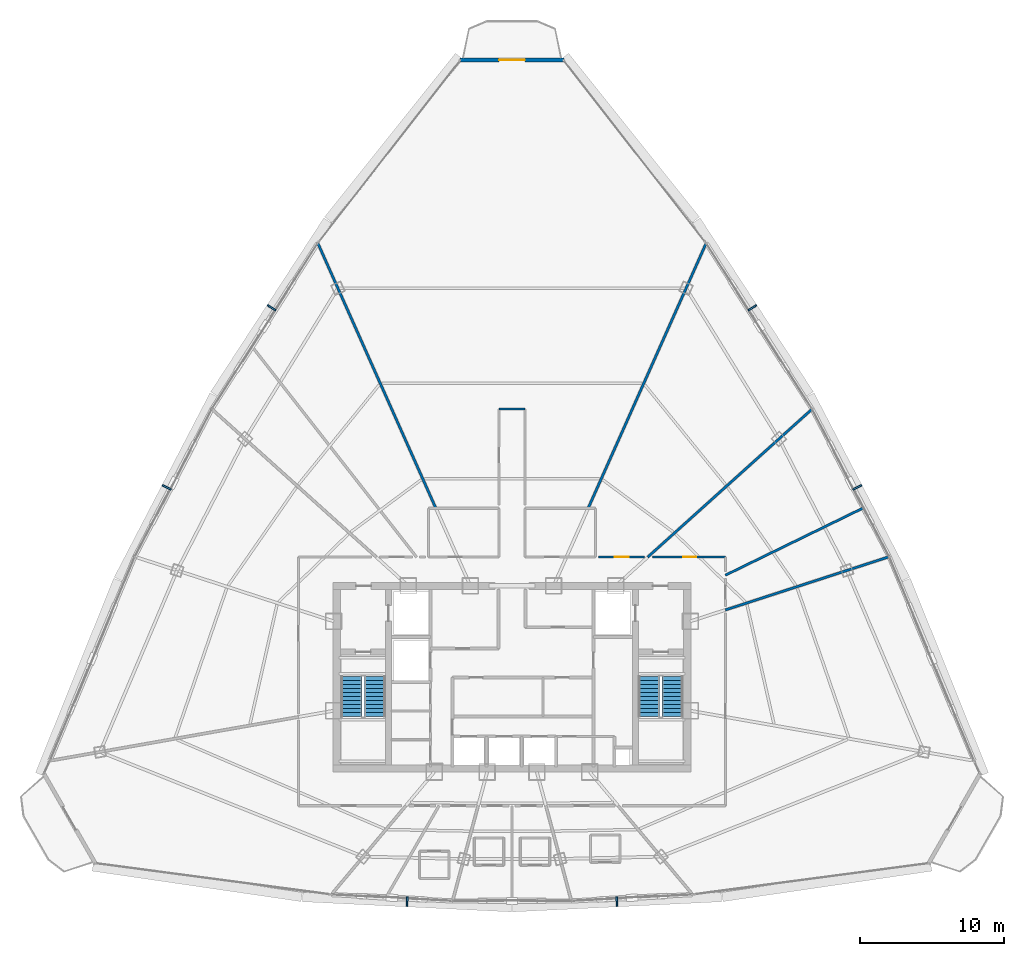
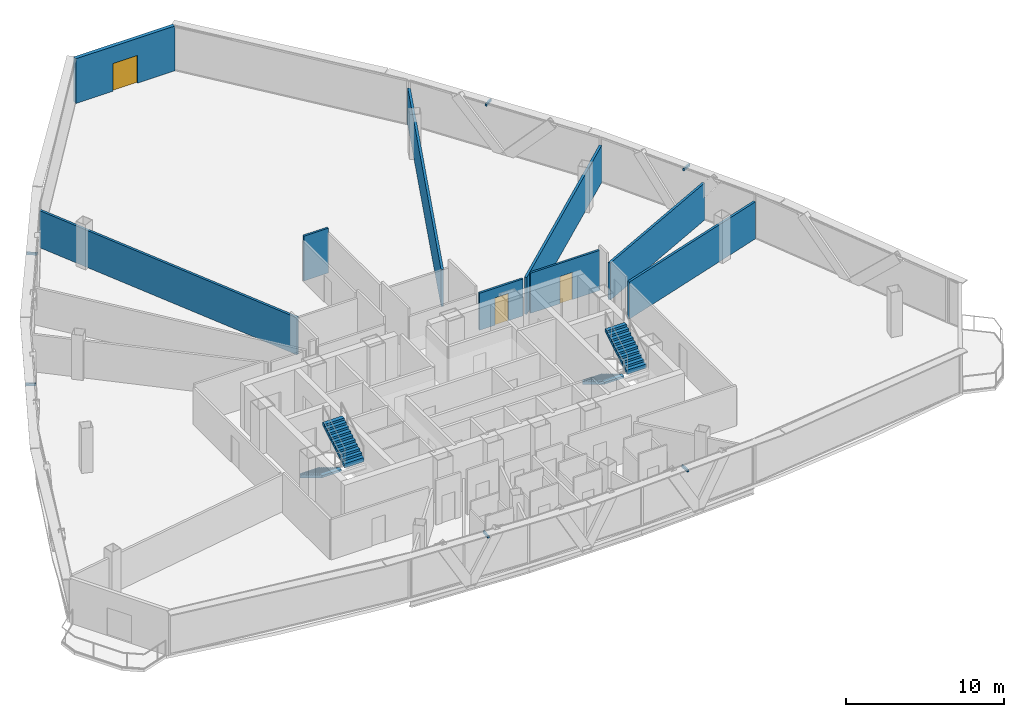
# One storey, part 34 of 37: 9 walls, 6 discrete accessories, 4 stair flights, 3 doors, 3 openings, 2 elements without a shape of their own.
"""IFC4 building model written with IfcOpenShell, lengths in metres."""

from ifc_helpers import new_model, si_unit, direction, frame, frame_2d, origin, origin_with_axes, origin_2d, place, context, subcontext, project, spatial, polyline, rectangle, outline, extrude, source, transform, mapped, material, layer, layer_set, type_object, element, fill, aggregate, save


model = new_model("IFC4")

# Units and contexts
model_context = context("Model", 3, precision=1e-05, world=origin(), true_north=direction((0.0, 1.0)))
body_context = subcontext(model_context, "Body", "Model", "MODEL_VIEW")
ifc_project = project(units=[si_unit("LENGTHUNIT", "METRE"), si_unit("AREAUNIT", "SQUARE_METRE"), si_unit("VOLUMEUNIT", "CUBIC_METRE"), si_unit("PLANEANGLEUNIT", "RADIAN"), si_unit("MASSUNIT", "GRAM", prefix="KILO"), si_unit("THERMODYNAMICTEMPERATUREUNIT", "KELVIN"), si_unit("POWERUNIT", "WATT")], contexts=[model_context])

# Site, building, storey
site_placement = place(None, origin())
site = spatial("IfcSite", under=ifc_project, at=site_placement, CompositionType="ELEMENT")
building_placement = place(site_placement, origin())
building = spatial("IfcBuilding", under=site, at=building_placement, Name="Yunzhuo Pagoda Commons", CompositionType="ELEMENT")
storey_placement = place(building_placement, frame((0.0, 0.0, 281.2900390625)))
storey = spatial("IfcBuildingStorey", under=building, at=storey_placement, Name="L70", CompositionType="ELEMENT", Elevation=281.2900390625)

# Wall, opening, door
ifc_material_1 = material(Name="Precast concrete C40", Category="concrete")
ifc_layer_1 = layer(ifc_material_1, 0.260009765625)
ifc_layer_set_1 = layer_set([ifc_layer_1], Name="Precast concrete C40")
wall_type_1 = type_object("IfcWallType", Name="W-BAL1 Corner Balcony Threshold Wall 260", PredefinedType="STANDARD", material=ifc_layer_set_1)
wall_1_placement = place(storey_placement, frame((51.632080078125, 76.79296875, 0.0), z_axis=(0.0, 0.0, 1.0), x_axis=(-1.0, 0.0, 0.0)))
wall_1 = element("IfcWall", 1, at=wall_1_placement, inside=storey, type_object=wall_type_1, Name="L70 corner balcony wall V3", PredefinedType="STANDARD", context=body_context, shape_type="SweptSolid", body=[
    extrude(rectangle(XDim=7.26416015625, YDim=0.260009765625, at=frame_2d((3.632080078125, 0.0))), origin(), (0.0, 0.0, 1.0), 3.469970703125),
])
opening_1_placement = place(wall_1_placement, frame((2.732177734375, 0.0, 0.0)))
opening_1 = element("IfcOpeningElement", 2, at=opening_1_placement, cuts=wall_1, Name="Opening D-BAL1", PredefinedType="OPENING", context=body_context, shape_type="SweptSolid", body=[
    extrude(rectangle(XDim=1.800048828125, YDim=2.14990234375, at=frame_2d((0.89990234375, 1.074951171875))), frame((0.0, 0.14013671875, 0.0), z_axis=(0.0, -1.0, 0.0), x_axis=(1.0, 0.0, 0.0)), (0.0, 0.0, 1.0), 0.280029296875),
])
ifc_material_2 = material(Name="Anodized aluminium frame and tempered glazed leaf", Category="aluminium")
door_type_1 = type_object("IfcDoorType", Name="D-BAL1 Corner Balcony Sliding Glazed Door 1800x2150", OperationType="DOUBLE_DOOR_SLIDING", PredefinedType="DOOR", material=ifc_material_2)
shared_shape_1 = source(origin(), body_context, "Body", "SweptSolid", [
    extrude(rectangle(XDim=1.800048828125, YDim=2.14990234375, at=frame_2d((0.89990234375, 1.074951171875))), frame((0.0, 0.02490234375, 0.0), z_axis=(0.0, -1.0, 0.0), x_axis=(1.0, 0.0, 0.0)), (0.0, 0.0, 1.0), 0.050048828125),
])
door_1_placement = place(opening_1_placement, origin_with_axes())
door_1 = element("IfcDoor", 3, at=door_1_placement, inside=storey, type_object=door_type_1, Name="L70 corner balcony sliding door V3", OperationType="DOUBLE_DOOR_SLIDING", OverallHeight=2.14990234375, OverallWidth=1.800048828125, PredefinedType="DOOR", context=body_context, shape_type="MappedRepresentation", body=[
    mapped(shared_shape_1, transform((0.0, 0.0, 0.0), scale=1.0)),
])
fill(opening_1, door_1)

# Wall
ifc_material_3 = material(Name="Gypsum plasterboard on acoustic stud")
ifc_layer_2 = layer(ifc_material_3, 0.14990234375)
ifc_layer_set_2 = layer_set([ifc_layer_2], Name="Gypsum plasterboard on acoustic stud")
wall_type_2 = type_object("IfcWallType", Name="W-COR3 High-Zone Rated Corridor Wall 150", PredefinedType="PARTITIONING", material=ifc_layer_set_2)
wall_2_placement = place(storey_placement, frame((47.10009765625, 52.5, 0.0), z_axis=(0.0, 0.0, 1.0), x_axis=(1.0, 0.0, 0.0)))
element("IfcWall", 4, at=wall_2_placement, inside=storey, type_object=wall_type_2, Name="L70 interior wall IW-L70-CWL07", PredefinedType="PARTITIONING", context=body_context, shape_type="SweptSolid", body=[
    extrude(rectangle(XDim=1.7998046875, YDim=0.14990234375, at=frame_2d((0.89990234375, 0.0))), origin(), (0.0, 0.0, 1.0), 3.469970703125),
])

# Wall, opening, door
wall_3_placement = place(storey_placement, frame((54.02001953125, 42.199951171875, 0.0), z_axis=(0.0, 0.0, 1.0), x_axis=(1.0, 0.0, 0.0)))
wall_3 = element("IfcWall", 5, at=wall_3_placement, inside=storey, type_object=wall_type_2, Name="L70 interior wall IW-L70-CWL09", PredefinedType="PARTITIONING", context=body_context, shape_type="SweptSolid", body=[
    extrude(rectangle(XDim=3.200439453125, YDim=0.14990234375, at=frame_2d((1.60009765625, 0.0))), origin(), (0.0, 0.0, 1.0), 2.869873046875),
])
opening_2_placement = place(wall_3_placement, frame((1.125, 0.0, 0.0)))
opening_2 = element("IfcOpeningElement", 6, at=opening_2_placement, cuts=wall_3, Name="Opening D-08", PredefinedType="OPENING", context=body_context, shape_type="SweptSolid", body=[
    extrude(rectangle(XDim=0.97998046875, YDim=2.1201171875, at=frame_2d((0.489990234375, 1.06005859375))), frame((0.0, 0.0849609375, 0.0), z_axis=(0.0, -1.0, 0.0), x_axis=(1.0, 0.0, 0.0)), (0.0, 0.0, 1.0), 0.169921875),
])
ifc_material_4 = material(Name="Galvanized fire-resisting metal leaf")
door_type_2 = type_object("IfcDoorType", Name="D-08 High-Zone Suite Entrance Fire Door 980x2120", OperationType="NOTDEFINED", PredefinedType="DOOR", material=ifc_material_4)
shared_shape_2 = source(origin(), body_context, "Body", "SweptSolid", [
    extrude(rectangle(XDim=0.97998046875, YDim=2.1201171875, at=frame_2d((0.489990234375, 1.06005859375))), frame((0.0, 0.02490234375, 0.0), z_axis=(0.0, -1.0, 0.0), x_axis=(1.0, 0.0, 0.0)), (0.0, 0.0, 1.0), 0.050048828125),
])
door_2_placement = place(opening_2_placement, origin_with_axes())
door_2 = element("IfcDoor", 7, at=door_2_placement, inside=storey, type_object=door_type_2, Name="L70 unit 03 entrance door", OperationType="SINGLE_SWING_LEFT", OverallHeight=2.1201171875, OverallWidth=0.97998046875, PredefinedType="DOOR", context=body_context, shape_type="MappedRepresentation", body=[
    mapped(shared_shape_2, transform((0.0, 0.0, 0.0), scale=1.0)),
])
fill(opening_2, door_2)

wall_4_placement = place(storey_placement, frame((57.76904296875, 42.199951171875, 0.0), z_axis=(0.0, 0.0, 1.0), x_axis=(1.0, 0.0, 0.0)))
wall_4 = element("IfcWall", 8, at=wall_4_placement, inside=storey, type_object=wall_type_2, Name="L70 interior wall IW-L70-CWL10", PredefinedType="PARTITIONING", context=body_context, shape_type="SweptSolid", body=[
    extrude(rectangle(XDim=5.0810546875, YDim=0.14990234375, at=frame_2d((2.54052734375, 0.0))), origin(), (0.0, 0.0, 1.0), 3.119873046875),
])
opening_3_placement = place(wall_4_placement, frame((2.14599609375, 0.0, 0.0)))
opening_3 = element("IfcOpeningElement", 9, at=opening_3_placement, cuts=wall_4, Name="Opening D-04", PredefinedType="OPENING", context=body_context, shape_type="SweptSolid", body=[
    extrude(rectangle(XDim=0.919921875, YDim=2.10009765625, at=frame_2d((0.4599609375, 1.050048828125))), frame((0.0, 0.0849609375, 0.0), z_axis=(0.0, -1.0, 0.0), x_axis=(1.0, 0.0, 0.0)), (0.0, 0.0, 1.0), 0.169921875),
])
ifc_material_5 = material(Name="Powder-coated aluminium and timber acoustic leaf", Category="wood")
door_type_3 = type_object("IfcDoorType", Name="D-04 Bedroom & Study Interior Door 920x2100", OperationType="NOTDEFINED", PredefinedType="DOOR", material=ifc_material_5)
shared_shape_3 = source(origin(), body_context, "Body", "SweptSolid", [
    extrude(rectangle(XDim=0.919921875, YDim=2.10009765625, at=frame_2d((0.4599609375, 1.050048828125))), frame((0.0, 0.02490234375, 0.0), z_axis=(0.0, -1.0, 0.0), x_axis=(1.0, 0.0, 0.0)), (0.0, 0.0, 1.0), 0.050048828125),
])
door_3_placement = place(opening_3_placement, origin_with_axes())
door_3 = element("IfcDoor", 10, at=door_3_placement, inside=storey, type_object=door_type_3, Name="L70 seminar room 02 door", OperationType="SINGLE_SWING_RIGHT", OverallHeight=2.10009765625, OverallWidth=0.919921875, PredefinedType="DOOR", context=body_context, shape_type="MappedRepresentation", body=[
    mapped(shared_shape_3, transform((0.0, 0.0, 0.0), scale=1.0)),
])
fill(opening_3, door_3)

# Walls
ifc_layer_3 = layer(ifc_material_3, 0.169921875)
ifc_layer_set_3 = layer_set([ifc_layer_3], Name="Gypsum plasterboard on acoustic stud")
wall_type_3 = type_object("IfcWallType", Name="W-PRT4 High-Zone Demising Wall 170", PredefinedType="PARTITIONING", material=ifc_layer_set_3)
wall_5_placement = place(storey_placement, frame((62.85009765625, 38.525146484375, 0.0), z_axis=(0.0, 0.0, 1.0), x_axis=(0.951059664494, 0.309007305047, 0.0)))
element("IfcWall", 11, at=wall_5_placement, inside=storey, type_object=wall_type_3, Name="L70 interior wall IW-L70-RAD01", PredefinedType="PARTITIONING", context=body_context, shape_type="SweptSolid", body=[
    extrude(rectangle(XDim=11.984619140625, YDim=0.169921875, at=frame_2d((5.9921875, 0.0))), origin(), (0.0, 0.0, 1.0), 2.869873046875),
])
wall_6_placement = place(storey_placement, frame((62.85009765625, 40.94287109375, 0.0), z_axis=(0.0, 0.0, 1.0), x_axis=(0.89879540995, 0.43836835088, 0.0)))
element("IfcWall", 12, at=wall_6_placement, inside=storey, type_object=wall_type_3, Name="L70 interior wall IW-L70-RAD02", PredefinedType="PARTITIONING", context=body_context, shape_type="SweptSolid", body=[
    extrude(rectangle(XDim=10.70263671875, YDim=0.169921875, at=frame_2d((5.351318359375, 0.0))), origin(), (0.0, 0.0, 1.0), 2.869873046875),
])
wall_7_placement = place(storey_placement, frame((57.440185546875, 42.199951171875, 0.0), z_axis=(0.0, 0.0, 1.0), x_axis=(0.743145118403, 0.669130281032, 0.0)))
element("IfcWall", 13, at=wall_7_placement, inside=storey, type_object=wall_type_3, Name="L70 interior wall IW-L70-RAD03", PredefinedType="PARTITIONING", context=body_context, shape_type="SweptSolid", body=[
    extrude(rectangle(XDim=15.3974609375, YDim=0.169921875, at=frame_2d((7.69873046875, 0.0))), origin(), (0.0, 0.0, 1.0), 2.869873046875),
])
for number, where, z_axis, x_axis, name in (
    (14, (53.298095703125, 45.60009765625, 0.0), (0.0, 0.0, 1.0), (0.406743072482, 0.91354259506, 0.0), "L70 interior wall IW-L70-RAD04"),
    (15, (42.701904296875, 45.60009765625, 0.0), (0.0, 0.0, 1.0), (-0.406743072482, 0.91354259506, 0.0), "L70 interior wall IW-L70-RAD05"),
):
    element("IfcWall", number, at=place(storey_placement, frame(where, z_axis=z_axis, x_axis=x_axis)), inside=storey, type_object=wall_type_3, Name=name, PredefinedType="PARTITIONING", context=body_context, shape_type="SweptSolid", body=[
        extrude(rectangle(XDim=20.191162109375, YDim=0.169921875, at=frame_2d((10.095703125, 0.0))), origin(), (0.0, 0.0, 1.0), 2.869873046875),
    ])

# Stair, stair flights
ifc_material_6 = material(Name="Concrete C40", Category="concrete")
stair_type_1 = type_object("IfcStairType", Name="ST-C1 Core Smokeproof Stair ST1", PredefinedType="HALF_TURN_STAIR", material=ifc_material_6)
stair_1_placement = place(storey_placement, origin())
stair_1 = element("IfcStair", 16, at=stair_1_placement, inside=storey, type_object=stair_type_1, Name="L70 Core smokeproof stair ST1", PredefinedType="HALF_TURN_STAIR")
stair_flight_type_1 = type_object("IfcStairFlightType", Name="STF-C1 Core Stair Flight 1450", PredefinedType="STRAIGHT", material=ifc_material_6)
shared_shape_4 = source(origin(), body_context, "Body", "SweptSolid", [
    extrude(outline(polyline([(0.0, -0.14990234375), (0.0, 0.0), (0.0, 0.16943359375), (0.280029296875, 0.16943359375), (0.280029296875, 0.339111328125), (0.56005859375, 0.339111328125), (0.56005859375, 0.508544921875), (0.840087890625, 0.508544921875), (0.840087890625, 0.67822265625), (1.1201171875, 0.67822265625), (1.1201171875, 0.84765625), (1.39990234375, 0.84765625), (1.39990234375, 1.017333984375), (1.679931640625, 1.017333984375), (1.679931640625, 1.186767578125), (1.9599609375, 1.186767578125), (1.9599609375, 1.3564453125), (2.239990234375, 1.3564453125), (2.239990234375, 1.52587890625), (2.52001953125, 1.52587890625), (2.52001953125, 1.695556640625), (2.800048828125, 1.695556640625), (2.800048828125, 1.864990234375), (2.800048828125, 1.520263671875), (0.289306640625, 0.0), (0.050048828125, -0.14990234375), (0.0, -0.14990234375)])), frame((0.0, 0.72509765625, 0.0), z_axis=(0.0, -1.0, 0.0), x_axis=(1.0, 0.0, 0.0)), (0.0, 0.0, 1.0), 1.449951171875),
])
stair_flight_1_placement = place(storey_placement, frame((36.824951171875, 33.89990234375, 0.0), z_axis=(0.0, 0.0, 1.0), x_axis=(0.0, -1.0, 0.0)))
stair_flight_1 = element("IfcStairFlight", 17, at=stair_flight_1_placement, type_object=stair_flight_type_1, Name="ST1 flight 1", NumberOfRisers=11, NumberOfTreads=10, PredefinedType="STRAIGHT", RiserHeight=0.169545455, TreadLength=0.28, context=body_context, shape_type="MappedRepresentation", body=[
    mapped(shared_shape_4, transform((0.0, 0.0, 0.0), scale=1.0)),
])
stair_flight_2_placement = place(storey_placement, frame((38.47509765625, 31.10009765625, 1.864990234375), z_axis=(0.0, 0.0, 1.0), x_axis=(0.0, 1.0, 0.0)))
stair_flight_2 = element("IfcStairFlight", 18, at=stair_flight_2_placement, type_object=stair_flight_type_1, Name="ST1 flight 2", NumberOfRisers=11, NumberOfTreads=10, PredefinedType="STRAIGHT", RiserHeight=0.169545455, TreadLength=0.28, context=body_context, shape_type="MappedRepresentation", body=[
    mapped(shared_shape_4, transform((0.0, 0.0, 0.0), scale=1.0)),
])
aggregate(stair_1, [stair_flight_1, stair_flight_2])

stair_type_2 = type_object("IfcStairType", Name="ST-C2 Core Smokeproof Stair ST2", PredefinedType="HALF_TURN_STAIR", material=ifc_material_6)
stair_2_placement = place(storey_placement, origin())
stair_2 = element("IfcStair", 19, at=stair_2_placement, inside=storey, type_object=stair_type_2, Name="L70 Core smokeproof stair ST2", PredefinedType="HALF_TURN_STAIR")
stair_flight_type_2 = type_object("IfcStairFlightType", Name="STF-C2 Core Stair Flight 1460", PredefinedType="STRAIGHT", material=ifc_material_6)
stair_flight_3_placement = place(storey_placement, frame((57.52490234375, 33.89990234375, 0.0), z_axis=(0.0, 0.0, 1.0), x_axis=(0.0, -1.0, 0.0)))
stair_flight_3 = element("IfcStairFlight", 20, at=stair_flight_3_placement, type_object=stair_flight_type_2, Name="ST2 flight 1", NumberOfRisers=11, NumberOfTreads=10, PredefinedType="STRAIGHT", RiserHeight=0.169545455, TreadLength=0.28, context=body_context, shape_type="MappedRepresentation", body=[
    mapped(shared_shape_4, transform((0.0, 0.0, 0.0), scale=1.0)),
])
stair_flight_4_placement = place(storey_placement, frame((59.175048828125, 31.10009765625, 1.864990234375), z_axis=(0.0, 0.0, 1.0), x_axis=(0.0, 1.0, 0.0)))
stair_flight_4 = element("IfcStairFlight", 21, at=stair_flight_4_placement, type_object=stair_flight_type_2, Name="ST2 flight 2", NumberOfRisers=11, NumberOfTreads=10, PredefinedType="STRAIGHT", RiserHeight=0.169545455, TreadLength=0.28, context=body_context, shape_type="MappedRepresentation", body=[
    mapped(shared_shape_4, transform((0.0, 0.0, 0.0), scale=1.0)),
])
aggregate(stair_2, [stair_flight_3, stair_flight_4])

# Discrete accessories
ifc_material_7 = material(Name="Anodized aluminium 6063-T6", Category="aluminium")
discrete_accessory_type = type_object("IfcDiscreteAccessoryType", Name="BK-SUN1 Sunshade Outrigger Bracket", PredefinedType="BRACKET", material=ifc_material_7)
shared_shape_5 = source(origin(), body_context, "Body", "SweptSolid", [
    extrude(rectangle(XDim=0.1201171875, YDim=0.679931640625, at=origin_2d()), origin(), (0.0, 0.0, 1.0), 0.179931640625),
])
for number, where, z_axis, x_axis, name in (
    (22, (40.701904296875, 18.232177734375, 3.259765625), (0.0, 0.0, 1.0), (0.998818043775, -0.04860571396, 0.0), "L70 sunshade outrigger bracket F1.2"),
    (23, (55.298095703125, 18.232177734375, 3.259765625), (0.0, 0.0, 1.0), (0.998818043775, 0.04860571396, 0.0), "L70 sunshade outrigger bracket F1.3"),
    (24, (72.02490234375, 47.052001953125, 3.259765625), (0.0, 0.0, 1.0), (-0.461206683033, 0.88729273384, 0.0), "L70 sunshade outrigger bracket F2.2"),
    (25, (64.7265625, 59.5546875, 3.259765625), (0.0, 0.0, 1.0), (-0.545838756973, 0.837890238269, 0.0), "L70 sunshade outrigger bracket F2.3"),
    (26, (31.2734375, 59.5546875, 3.259765625), (0.0, 0.0, 1.0), (-0.545838756973, -0.837890238269, 0.0), "L70 sunshade outrigger bracket F3.2"),
    (27, (23.97509765625, 47.052001953125, 3.259765625), (0.0, 0.0, 1.0), (-0.461206683033, -0.88729273384, 0.0), "L70 sunshade outrigger bracket F3.3"),
):
    element("IfcDiscreteAccessory", number, at=place(storey_placement, frame(where, z_axis=z_axis, x_axis=x_axis)), inside=storey, type_object=discrete_accessory_type, Name=name, PredefinedType="BRACKET", context=body_context, shape_type="MappedRepresentation", body=[
        mapped(shared_shape_5, transform((0.0, 0.0, 0.0), scale=1.0)),
    ])

save(model, "model.ifc")
